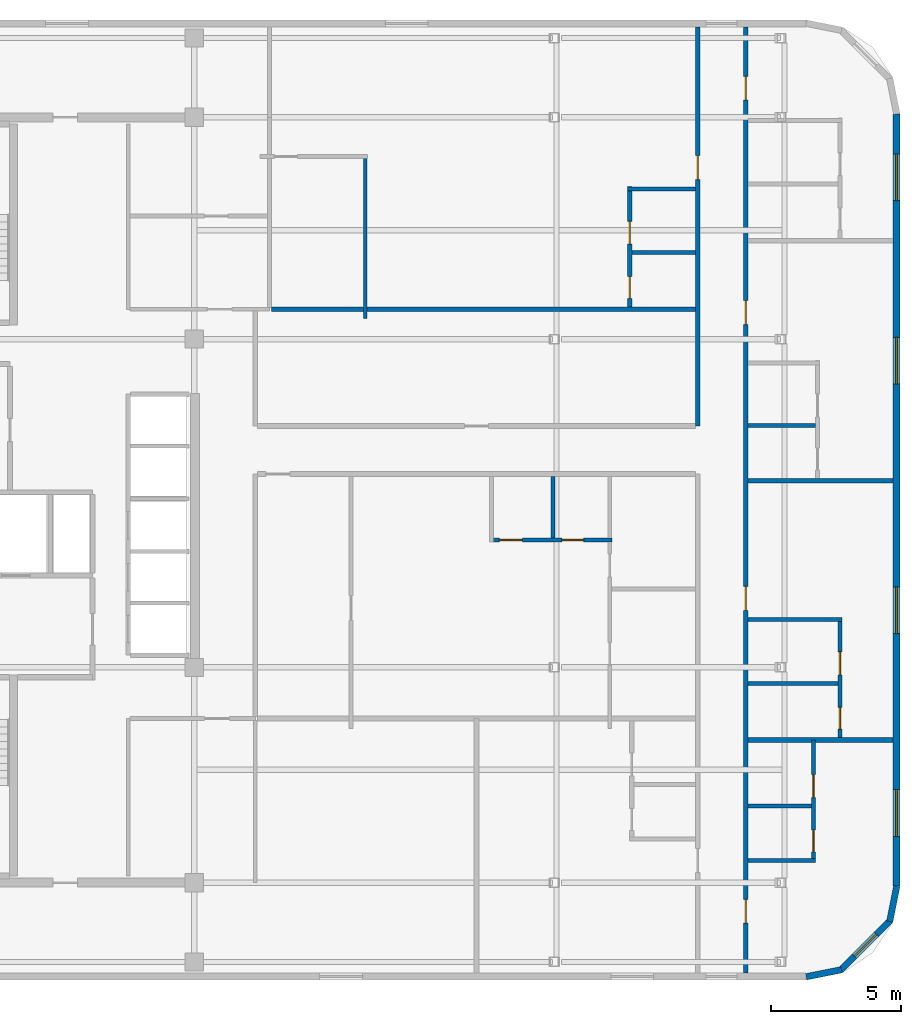
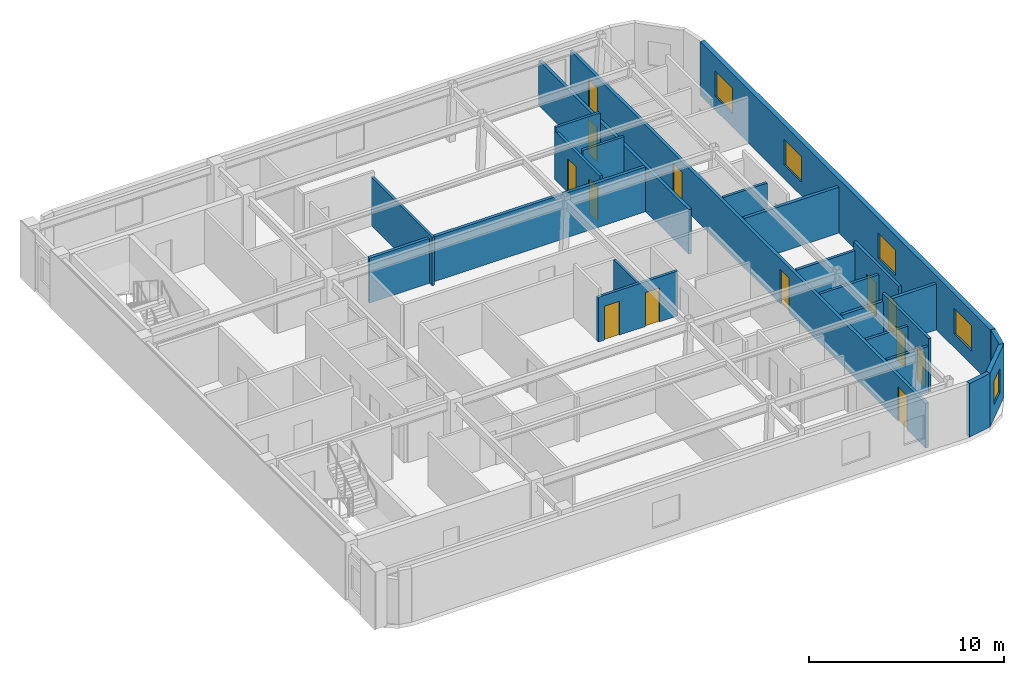
# One storey, part 4 of 6: 22 walls, 13 doors, 5 windows, 18 openings.
"""IFC4 building model written with IfcOpenShell, lengths in metres."""

from ifc_helpers import new_model, si_unit, direction, frame, frame_2d, origin, place, context, subcontext, project, spatial, rectangle, extrude, material, layer, layer_set, type_object, element, fill, save


model = new_model("IFC4")

# Units and contexts
model_context = context("Model", 3, precision=1e-05, world=origin(), true_north=direction((0.0, 1.0)))
body_context = subcontext(model_context, "Body", "Model", "MODEL_VIEW")
ifc_project = project(units=[si_unit("LENGTHUNIT", "METRE"), si_unit("AREAUNIT", "SQUARE_METRE"), si_unit("VOLUMEUNIT", "CUBIC_METRE"), si_unit("PLANEANGLEUNIT", "RADIAN"), si_unit("MASSUNIT", "GRAM", prefix="KILO")], contexts=[model_context])

# Site, building, storey
site_placement = place(None, origin())
site = spatial("IfcSite", under=ifc_project, at=site_placement, CompositionType="ELEMENT")
building_placement = place(site_placement, origin())
building = spatial("IfcBuilding", under=site, at=building_placement, Name="Ochreholt Gables", CompositionType="ELEMENT")
storey_placement = place(building_placement, frame((0.0, 0.0, 260.39990234375)))
storey = spatial("IfcBuildingStorey", under=building, at=storey_placement, Name="L68", CompositionType="ELEMENT", Elevation=260.39990234375)

# Wall, openings, windows
ifc_material_1 = material(Name="Precast concrete 40 MPa", Category="concrete")
ifc_layer_1 = layer(ifc_material_1, 0.27001953125, Name="Precast concrete 40 MPa")
ifc_layer_set_1 = layer_set([ifc_layer_1], Name="Precast concrete 40 MPa")
wall_type_1 = type_object("IfcWallType", Name="WALL-EXT-270", PredefinedType="SOLIDWALL", material=ifc_layer_set_1)
wall_1_placement = place(storey_placement, frame((62.264892578125, 9.1201171875, 0.0), z_axis=(0.0, 0.0, 1.0), x_axis=(0.0, 1.0, 0.0)))
wall_1 = element("IfcWall", 1, at=wall_1_placement, inside=storey, type_object=wall_type_1, Name="L68 East Exterior Wall", PredefinedType="SOLIDWALL", context=body_context, shape_type="SweptSolid", body=[
    extrude(rectangle(XDim=29.759765625, YDim=0.27001953125, at=frame_2d((14.8798828125, 0.0))), origin(), (0.0, 0.0, 1.0), 3.360107421875),
])
opening_1_placement = place(wall_1_placement, frame((1.9150390625, 0.0, 0.85009765625)))
opening_1 = element("IfcOpeningElement", 2, at=opening_1_placement, cuts=wall_1, Name="Opening WN-1", PredefinedType="OPENING", context=body_context, shape_type="SweptSolid", body=[
    extrude(rectangle(XDim=1.800048828125, YDim=1.60009765625, at=frame_2d((0.89990234375, 0.800048828125))), frame((0.0, 0.14501953125, 0.0), z_axis=(0.0, -1.0, 0.0), x_axis=(1.0, 0.0, 0.0)), (0.0, 0.0, 1.0), 0.2900390625),
])
opening_2_placement = place(wall_1_placement, frame((9.72509765625, 0.0, 0.85009765625)))
opening_2 = element("IfcOpeningElement", 3, at=opening_2_placement, cuts=wall_1, Name="Opening WN-1", PredefinedType="OPENING", context=body_context, shape_type="SweptSolid", body=[
    extrude(rectangle(XDim=1.800048828125, YDim=1.60009765625, at=frame_2d((0.89990234375, 0.800048828125))), frame((0.0, 0.14501953125, 0.0), z_axis=(0.0, -1.0, 0.0), x_axis=(1.0, 0.0, 0.0)), (0.0, 0.0, 1.0), 0.2900390625),
])
opening_3_placement = place(wall_1_placement, frame((19.344970703125, 0.0, 0.85009765625)))
opening_3 = element("IfcOpeningElement", 4, at=opening_3_placement, cuts=wall_1, Name="Opening WN-1", PredefinedType="OPENING", context=body_context, shape_type="SweptSolid", body=[
    extrude(rectangle(XDim=1.800048828125, YDim=1.60009765625, at=frame_2d((0.89990234375, 0.800048828125))), frame((0.0, 0.14501953125, 0.0), z_axis=(0.0, -1.0, 0.0), x_axis=(1.0, 0.0, 0.0)), (0.0, 0.0, 1.0), 0.2900390625),
])
opening_4_placement = place(wall_1_placement, frame((26.4150390625, 0.0, 0.85009765625)))
opening_4 = element("IfcOpeningElement", 5, at=opening_4_placement, cuts=wall_1, Name="Opening WN-1", PredefinedType="OPENING", context=body_context, shape_type="SweptSolid", body=[
    extrude(rectangle(XDim=1.800048828125, YDim=1.60009765625, at=frame_2d((0.89990234375, 0.800048828125))), frame((0.0, 0.14501953125, 0.0), z_axis=(0.0, -1.0, 0.0), x_axis=(1.0, 0.0, 0.0)), (0.0, 0.0, 1.0), 0.2900390625),
])
ifc_material_2 = material(Name="Triple-Glazed Thermally Broken Aluminium Window", Category="aluminium")
window_type_1 = type_object("IfcWindowType", Name="WIN-RES-1800", PartitioningType="SINGLE_PANEL", PredefinedType="WINDOW", material=ifc_material_2)
window_1_placement = place(opening_1_placement, origin())
window_1 = element("IfcWindow", 6, at=window_1_placement, inside=storey, type_object=window_type_1, Name="L68 Window W-EXT-E-L68-1", OverallHeight=1.60009765625, OverallWidth=1.800048828125, PartitioningType="SINGLE_PANEL", PredefinedType="WINDOW", context=body_context, shape_type="SweptSolid", body=[
    extrude(rectangle(XDim=1.800048828125, YDim=1.60009765625, at=frame_2d((0.89990234375, 0.800048828125))), frame((0.0, 0.030029296875, 0.0), z_axis=(0.0, -1.0, 0.0), x_axis=(1.0, 0.0, 0.0)), (0.0, 0.0, 1.0), 0.06005859375),
])
fill(opening_1, window_1)
window_2_placement = place(opening_2_placement, origin())
window_2 = element("IfcWindow", 7, at=window_2_placement, inside=storey, type_object=window_type_1, Name="L68 Window W-EXT-E-L68-2", OverallHeight=1.60009765625, OverallWidth=1.800048828125, PartitioningType="SINGLE_PANEL", PredefinedType="WINDOW", context=body_context, shape_type="SweptSolid", body=[
    extrude(rectangle(XDim=1.800048828125, YDim=1.60009765625, at=frame_2d((0.89990234375, 0.800048828125))), frame((0.0, 0.030029296875, 0.0), z_axis=(0.0, -1.0, 0.0), x_axis=(1.0, 0.0, 0.0)), (0.0, 0.0, 1.0), 0.06005859375),
])
fill(opening_2, window_2)
window_3_placement = place(opening_3_placement, origin())
window_3 = element("IfcWindow", 8, at=window_3_placement, inside=storey, type_object=window_type_1, Name="L68 Window W-EXT-E-L68-3", OverallHeight=1.60009765625, OverallWidth=1.800048828125, PartitioningType="SINGLE_PANEL", PredefinedType="WINDOW", context=body_context, shape_type="SweptSolid", body=[
    extrude(rectangle(XDim=1.800048828125, YDim=1.60009765625, at=frame_2d((0.89990234375, 0.800048828125))), frame((0.0, 0.030029296875, 0.0), z_axis=(0.0, -1.0, 0.0), x_axis=(1.0, 0.0, 0.0)), (0.0, 0.0, 1.0), 0.06005859375),
])
fill(opening_3, window_3)
window_4_placement = place(opening_4_placement, origin())
window_4 = element("IfcWindow", 9, at=window_4_placement, inside=storey, type_object=window_type_1, Name="L68 Window W-EXT-E-L68-4", OverallHeight=1.60009765625, OverallWidth=1.800048828125, PartitioningType="SINGLE_PANEL", PredefinedType="WINDOW", context=body_context, shape_type="SweptSolid", body=[
    extrude(rectangle(XDim=1.800048828125, YDim=1.60009765625, at=frame_2d((0.89990234375, 0.800048828125))), frame((0.0, 0.030029296875, 0.0), z_axis=(0.0, -1.0, 0.0), x_axis=(1.0, 0.0, 0.0)), (0.0, 0.0, 1.0), 0.06005859375),
])
fill(opening_4, window_4)

# Wall
ifc_layer_2 = layer(ifc_material_1, 0.25, Name="Precast concrete 40 MPa")
ifc_layer_set_2 = layer_set([ifc_layer_2], Name="Precast concrete 40 MPa")
wall_type_2 = type_object("IfcWallType", Name="WALL-EXT-CNR", PredefinedType="SOLIDWALL", material=ifc_layer_set_2)
wall_2_placement = place(storey_placement, frame((58.783447265625, 5.624267578125, 0.0), z_axis=(0.0, 0.0, 1.0), x_axis=(0.980809899341, 0.19496651342, 0.0)))
element("IfcWall", 10, at=wall_2_placement, inside=storey, type_object=wall_type_2, Name="L68 Rounded Corner Wall SE-1", PredefinedType="SOLIDWALL", context=body_context, shape_type="SweptSolid", body=[
    extrude(rectangle(XDim=1.388671875, YDim=0.25, at=frame_2d((0.6943359375, 0.0))), origin(), (0.0, 0.0, 1.0), 3.360107421875),
])

# Wall, opening, window
wall_3_placement = place(storey_placement, frame((60.094970703125, 5.867919921875, 0.0), z_axis=(0.0, 0.0, 1.0), x_axis=(0.707106781187, 0.707106781187, 0.0)))
wall_3 = element("IfcWall", 11, at=wall_3_placement, inside=storey, type_object=wall_type_2, Name="L68 Rounded Corner Wall SE-2", PredefinedType="SOLIDWALL", context=body_context, shape_type="SweptSolid", body=[
    extrude(rectangle(XDim=2.7392578125, YDim=0.25, at=frame_2d((1.36962890625, 0.0))), origin(), (0.0, 0.0, 1.0), 3.360107421875),
])
opening_5_placement = place(wall_3_placement, frame((0.769775390625, 0.0, 0.85009765625)))
opening_5 = element("IfcOpeningElement", 12, at=opening_5_placement, cuts=wall_3, Name="Opening WN-3", PredefinedType="OPENING", context=body_context, shape_type="SweptSolid", body=[
    extrude(rectangle(XDim=1.199951171875, YDim=1.5, at=frame_2d((0.60009765625, 0.75))), frame((0.0, 0.135009765625, 0.0), z_axis=(0.0, -1.0, 0.0), x_axis=(1.0, 0.0, 0.0)), (0.0, 0.0, 1.0), 0.27001953125),
])
window_type_2 = type_object("IfcWindowType", Name="WIN-RES-1200", PartitioningType="SINGLE_PANEL", PredefinedType="WINDOW", material=ifc_material_2)
window_5_placement = place(opening_5_placement, origin())
window_5 = element("IfcWindow", 13, at=window_5_placement, inside=storey, type_object=window_type_2, Name="L68 Corner Bedroom Window SE", OverallHeight=1.5, OverallWidth=1.199951171875, PartitioningType="SINGLE_PANEL", PredefinedType="WINDOW", context=body_context, shape_type="SweptSolid", body=[
    extrude(rectangle(XDim=1.199951171875, YDim=1.5, at=frame_2d((0.60009765625, 0.75))), frame((0.0, 0.030029296875, 0.0), z_axis=(0.0, -1.0, 0.0), x_axis=(1.0, 0.0, 0.0)), (0.0, 0.0, 1.0), 0.06005859375),
])
fill(opening_5, window_5)

# Wall
wall_4_placement = place(storey_placement, frame((62.0048828125, 7.75439453125, 0.0), z_axis=(0.0, 0.0, 1.0), x_axis=(0.195135625965, 0.9807762678, 0.0)))
element("IfcWall", 14, at=wall_4_placement, inside=storey, type_object=wall_type_2, Name="L68 Rounded Corner Wall SE-3", PredefinedType="SOLIDWALL", context=body_context, shape_type="SweptSolid", body=[
    extrude(rectangle(XDim=1.388671875, YDim=0.25, at=frame_2d((0.6943359375, 0.0))), origin(), (0.0, 0.0, 1.0), 3.360107421875),
])

# Wall, opening, door
ifc_material_3 = material(Name="Fire-Rated Gypsum Acoustic Partition", Category="gypsum")
ifc_layer_3 = layer(ifc_material_3, 0.179931640625, Name="Fire-Rated Gypsum Acoustic Partition")
ifc_layer_set_3 = layer_set([ifc_layer_3], Name="Fire-Rated Gypsum Acoustic Partition")
wall_type_3 = type_object("IfcWallType", Name="WALL-INT-CR180", PredefinedType="STANDARD", material=ifc_layer_set_3)
wall_5_placement = place(storey_placement, frame((54.60009765625, 26.85009765625, 0.0), z_axis=(0.0, 0.0, 1.0), x_axis=(0.0, 1.0, 0.0)))
wall_5 = element("IfcWall", 15, at=wall_5_placement, inside=storey, type_object=wall_type_3, Name="L68 Interior Wall WI-C3GW2-L68", PredefinedType="STANDARD", context=body_context, shape_type="SweptSolid", body=[
    extrude(rectangle(XDim=15.3798828125, YDim=0.179931640625, at=frame_2d((7.68994140625, 0.0))), origin(), (0.0, 0.0, 1.0), 2.802978515625),
])
opening_6_placement = place(wall_5_placement, frame((9.5, 0.0, 0.0)))
opening_6 = element("IfcOpeningElement", 16, at=opening_6_placement, cuts=wall_5, Name="Opening D-UN1", PredefinedType="OPENING", context=body_context, shape_type="SweptSolid", body=[
    extrude(rectangle(XDim=0.919921875, YDim=2.14990234375, at=frame_2d((0.4599609375, 1.074951171875))), frame((0.0, 0.099853515625, 0.0), z_axis=(0.0, -1.0, 0.0), x_axis=(1.0, 0.0, 0.0)), (0.0, 0.0, 1.0), 0.199951171875),
])
ifc_material_4 = material(Name="Engineered Oak Timber", Category="wood")
door_type_1 = type_object("IfcDoorType", Name="DR-INT-UNT920", OperationType="NOTDEFINED", PredefinedType="DOOR", material=ifc_material_4)
door_1_placement = place(opening_6_placement, origin())
door_1 = element("IfcDoor", 17, at=door_1_placement, inside=storey, type_object=door_type_1, Name="L68 Door D-U-L68NM2-ENT", OperationType="SINGLE_SWING_LEFT", OverallHeight=2.14990234375, OverallWidth=0.919921875, PredefinedType="DOOR", context=body_context, shape_type="SweptSolid", body=[
    extrude(rectangle(XDim=0.919921875, YDim=2.14990234375, at=frame_2d((0.4599609375, 1.074951171875))), frame((0.0, 0.02490234375, 0.0), z_axis=(0.0, -1.0, 0.0), x_axis=(1.0, 0.0, 0.0)), (0.0, 0.0, 1.0), 0.050048828125),
])
fill(opening_6, door_1)

# Wall, openings, doors
wall_6_placement = place(storey_placement, frame((56.449951171875, 5.77001953125, 0.0), z_axis=(0.0, 0.0, 1.0), x_axis=(0.0, 1.0, 0.0)))
wall_6 = element("IfcWall", 18, at=wall_6_placement, inside=storey, type_object=wall_type_3, Name="L68 Interior Wall WI-C3GE-L68", PredefinedType="STANDARD", context=body_context, shape_type="SweptSolid", body=[
    extrude(rectangle(XDim=36.4599609375, YDim=0.179931640625, at=frame_2d((18.22998046875, 0.0))), origin(), (0.0, 0.0, 1.0), 2.802978515625),
])
opening_7_placement = place(wall_6_placement, frame((1.919921875, 0.0, 0.0)))
opening_7 = element("IfcOpeningElement", 19, at=opening_7_placement, cuts=wall_6, Name="Opening D-UN1", PredefinedType="OPENING", context=body_context, shape_type="SweptSolid", body=[
    extrude(rectangle(XDim=0.919921875, YDim=2.14990234375, at=frame_2d((0.4599609375, 1.074951171875))), frame((0.0, 0.099853515625, 0.0), z_axis=(0.0, -1.0, 0.0), x_axis=(1.0, 0.0, 0.0)), (0.0, 0.0, 1.0), 0.199951171875),
])
opening_8_placement = place(wall_6_placement, frame((13.97998046875, 0.0, 0.0)))
opening_8 = element("IfcOpeningElement", 20, at=opening_8_placement, cuts=wall_6, Name="Opening D-UN1", PredefinedType="OPENING", context=body_context, shape_type="SweptSolid", body=[
    extrude(rectangle(XDim=0.919921875, YDim=2.14990234375, at=frame_2d((0.4599609375, 1.074951171875))), frame((0.0, 0.099853515625, 0.0), z_axis=(0.0, -1.0, 0.0), x_axis=(1.0, 0.0, 0.0)), (0.0, 0.0, 1.0), 0.199951171875),
])
opening_9_placement = place(wall_6_placement, frame((24.989990234375, 0.0, 0.0)))
opening_9 = element("IfcOpeningElement", 21, at=opening_9_placement, cuts=wall_6, Name="Opening D-UN1", PredefinedType="OPENING", context=body_context, shape_type="SweptSolid", body=[
    extrude(rectangle(XDim=0.919921875, YDim=2.14990234375, at=frame_2d((0.4599609375, 1.074951171875))), frame((0.0, 0.099853515625, 0.0), z_axis=(0.0, -1.0, 0.0), x_axis=(1.0, 0.0, 0.0)), (0.0, 0.0, 1.0), 0.199951171875),
])
opening_10_placement = place(wall_6_placement, frame((33.639892578125, 0.0, 0.0)))
opening_10 = element("IfcOpeningElement", 22, at=opening_10_placement, cuts=wall_6, Name="Opening D-UN1", PredefinedType="OPENING", context=body_context, shape_type="SweptSolid", body=[
    extrude(rectangle(XDim=0.919921875, YDim=2.14990234375, at=frame_2d((0.4599609375, 1.074951171875))), frame((0.0, 0.099853515625, 0.0), z_axis=(0.0, -1.0, 0.0), x_axis=(1.0, 0.0, 0.0)), (0.0, 0.0, 1.0), 0.199951171875),
])
door_2_placement = place(opening_7_placement, origin())
door_2 = element("IfcDoor", 23, at=door_2_placement, inside=storey, type_object=door_type_1, Name="L68 Door D-U-L68E1-ENT", OperationType="SINGLE_SWING_RIGHT", OverallHeight=2.14990234375, OverallWidth=0.919921875, PredefinedType="DOOR", context=body_context, shape_type="SweptSolid", body=[
    extrude(rectangle(XDim=0.919921875, YDim=2.14990234375, at=frame_2d((0.4599609375, 1.074951171875))), frame((0.0, 0.02490234375, 0.0), z_axis=(0.0, -1.0, 0.0), x_axis=(1.0, 0.0, 0.0)), (0.0, 0.0, 1.0), 0.050048828125),
])
fill(opening_7, door_2)
door_3_placement = place(opening_8_placement, origin())
door_3 = element("IfcDoor", 24, at=door_3_placement, inside=storey, type_object=door_type_1, Name="L68 Door D-U-L68E2-ENT", OperationType="SINGLE_SWING_LEFT", OverallHeight=2.14990234375, OverallWidth=0.919921875, PredefinedType="DOOR", context=body_context, shape_type="SweptSolid", body=[
    extrude(rectangle(XDim=0.919921875, YDim=2.14990234375, at=frame_2d((0.4599609375, 1.074951171875))), frame((0.0, 0.02490234375, 0.0), z_axis=(0.0, -1.0, 0.0), x_axis=(1.0, 0.0, 0.0)), (0.0, 0.0, 1.0), 0.050048828125),
])
fill(opening_8, door_3)
door_4_placement = place(opening_9_placement, origin())
door_4 = element("IfcDoor", 25, at=door_4_placement, inside=storey, type_object=door_type_1, Name="L68 Door D-U-L68E3-ENT", OperationType="SINGLE_SWING_RIGHT", OverallHeight=2.14990234375, OverallWidth=0.919921875, PredefinedType="DOOR", context=body_context, shape_type="SweptSolid", body=[
    extrude(rectangle(XDim=0.919921875, YDim=2.14990234375, at=frame_2d((0.4599609375, 1.074951171875))), frame((0.0, 0.02490234375, 0.0), z_axis=(0.0, -1.0, 0.0), x_axis=(1.0, 0.0, 0.0)), (0.0, 0.0, 1.0), 0.050048828125),
])
fill(opening_9, door_4)
door_5_placement = place(opening_10_placement, origin())
door_5 = element("IfcDoor", 26, at=door_5_placement, inside=storey, type_object=door_type_1, Name="L68 Door D-U-L68E4-ENT", OperationType="SINGLE_SWING_LEFT", OverallHeight=2.14990234375, OverallWidth=0.919921875, PredefinedType="DOOR", context=body_context, shape_type="SweptSolid", body=[
    extrude(rectangle(XDim=0.919921875, YDim=2.14990234375, at=frame_2d((0.4599609375, 1.074951171875))), frame((0.0, 0.02490234375, 0.0), z_axis=(0.0, -1.0, 0.0), x_axis=(1.0, 0.0, 0.0)), (0.0, 0.0, 1.0), 0.050048828125),
])
fill(opening_10, door_5)

# Walls
ifc_material_5 = material(Name="Double-Stud Acoustic Demising Wall", Category="gypsum")
ifc_layer_4 = layer(ifc_material_5, 0.18505859375, Name="Double-Stud Acoustic Demising Wall")
ifc_layer_set_4 = layer_set([ifc_layer_4], Name="Double-Stud Acoustic Demising Wall")
wall_type_4 = type_object("IfcWallType", Name="WALL-INT-DM185", PredefinedType="PARTITIONING", material=ifc_layer_set_4)
for number, where, z_axis, x_axis, name in (
    (27, (56.5400390625, 14.75, 0.0), (0.0, 0.0, 1.0), (1.0, 0.0, 0.0), "L68 Interior Wall WI-C3UDE2-L68"),
    (28, (56.5400390625, 24.739990234375, 0.0), (0.0, 0.0, 1.0), (1.0, 0.0, 0.0), "L68 Interior Wall WI-C3UDE3-L68"),
):
    element("IfcWall", number, at=place(storey_placement, frame(where, z_axis=z_axis, x_axis=x_axis)), inside=storey, type_object=wall_type_4, Name=name, PredefinedType="PARTITIONING", context=body_context, shape_type="SweptSolid", body=[
        extrude(rectangle(XDim=5.58984375, YDim=0.18505859375, at=frame_2d((2.794921875, 0.0))), origin(), (0.0, 0.0, 1.0), 2.879150390625),
    ])
wall_7_placement = place(storey_placement, frame((38.172607421875, 31.35009765625, 0.0), z_axis=(0.0, 0.0, 1.0), x_axis=(1.0, 0.0, 0.0)))
element("IfcWall", 29, at=wall_7_placement, inside=storey, type_object=wall_type_4, Name="L68 Interior Wall WI-C3NMY-L68", PredefinedType="PARTITIONING", context=body_context, shape_type="SweptSolid", body=[
    extrude(rectangle(XDim=16.33740234375, YDim=0.18505859375, at=frame_2d((8.168701171875, 0.0))), origin(), (0.0, 0.0, 1.0), 2.802978515625),
])
ifc_material_6 = material(Name="Moisture-Resistant Plumbing Chase Wall", Category="gypsum")
ifc_layer_5 = layer(ifc_material_6, 0.159912109375, Name="Moisture-Resistant Plumbing Chase Wall")
ifc_layer_set_5 = layer_set([ifc_layer_5], Name="Moisture-Resistant Plumbing Chase Wall")
wall_type_5 = type_object("IfcWallType", Name="WALL-INT-PL160", PredefinedType="PLUMBINGWALL", material=ifc_layer_set_5)
wall_8_placement = place(storey_placement, frame((56.5400390625, 10.110107421875, 0.0), z_axis=(0.0, 0.0, 1.0), x_axis=(1.0, 0.0, 0.0)))
element("IfcWall", 30, at=wall_8_placement, inside=storey, type_object=wall_type_5, Name="L68 Interior Wall WU-L68E1-WYS", PredefinedType="PLUMBINGWALL", context=body_context, shape_type="SweptSolid", body=[
    extrude(rectangle(XDim=2.60595703125, YDim=0.159912109375, at=frame_2d((1.302978515625, 0.0))), origin(), (0.0, 0.0, 1.0), 2.879150390625),
])

# Wall, openings, doors
wall_9_placement = place(storey_placement, frame((59.06591796875, 10.02001953125, 0.0), z_axis=(0.0, 0.0, 1.0), x_axis=(0.0, 1.0, 0.0)))
wall_9 = element("IfcWall", 31, at=wall_9_placement, inside=storey, type_object=wall_type_5, Name="L68 Interior Wall WU-L68E1-WX", PredefinedType="PLUMBINGWALL", context=body_context, shape_type="SweptSolid", body=[
    extrude(rectangle(XDim=4.72998046875, YDim=0.159912109375, at=frame_2d((2.364990234375, 0.0))), origin(), (0.0, 0.0, 1.0), 3.360107421875),
])
opening_11_placement = place(wall_9_placement, frame((0.419921875, 0.0, 0.0)))
opening_11 = element("IfcOpeningElement", 32, at=opening_11_placement, cuts=wall_9, Name="Opening D-BT2", PredefinedType="OPENING", context=body_context, shape_type="SweptSolid", body=[
    extrude(rectangle(XDim=0.840087890625, YDim=2.1201171875, at=frame_2d((0.419921875, 1.06005859375))), frame((0.0, 0.08984375, 0.0), z_axis=(0.0, -1.0, 0.0), x_axis=(1.0, 0.0, 0.0)), (0.0, 0.0, 1.0), 0.179931640625),
])
opening_12_placement = place(wall_9_placement, frame((2.512939453125, 0.0, 0.0)))
opening_12 = element("IfcOpeningElement", 33, at=opening_12_placement, cuts=wall_9, Name="Opening D-GN2", PredefinedType="OPENING", context=body_context, shape_type="SweptSolid", body=[
    extrude(rectangle(XDim=0.8798828125, YDim=2.1201171875, at=frame_2d((0.43994140625, 1.06005859375))), frame((0.0, 0.08984375, 0.0), z_axis=(0.0, -1.0, 0.0), x_axis=(1.0, 0.0, 0.0)), (0.0, 0.0, 1.0), 0.179931640625),
])
door_type_2 = type_object("IfcDoorType", Name="DR-INT-BTH840", OperationType="NOTDEFINED", PredefinedType="DOOR", material=ifc_material_4)
door_6_placement = place(opening_11_placement, origin())
door_6 = element("IfcDoor", 34, at=door_6_placement, inside=storey, type_object=door_type_2, Name="L68 Door D-U-L68E1-BTH", OperationType="SINGLE_SWING_LEFT", OverallHeight=2.1201171875, OverallWidth=0.840087890625, PredefinedType="DOOR", context=body_context, shape_type="SweptSolid", body=[
    extrude(rectangle(XDim=0.840087890625, YDim=2.1201171875, at=frame_2d((0.419921875, 1.06005859375))), frame((0.0, 0.02490234375, 0.0), z_axis=(0.0, -1.0, 0.0), x_axis=(1.0, 0.0, 0.0)), (0.0, 0.0, 1.0), 0.050048828125),
])
fill(opening_11, door_6)
door_type_3 = type_object("IfcDoorType", Name="DR-INT-GEN880", OperationType="NOTDEFINED", PredefinedType="DOOR", material=ifc_material_4)
door_7_placement = place(opening_12_placement, origin())
door_7 = element("IfcDoor", 35, at=door_7_placement, inside=storey, type_object=door_type_3, Name="L68 Door D-U-L68E1-KIT", OperationType="SINGLE_SWING_RIGHT", OverallHeight=2.1201171875, OverallWidth=0.8798828125, PredefinedType="DOOR", context=body_context, shape_type="SweptSolid", body=[
    extrude(rectangle(XDim=0.8798828125, YDim=2.1201171875, at=frame_2d((0.43994140625, 1.06005859375))), frame((0.0, 0.02490234375, 0.0), z_axis=(0.0, -1.0, 0.0), x_axis=(1.0, 0.0, 0.0)), (0.0, 0.0, 1.0), 0.050048828125),
])
fill(opening_12, door_7)

# Walls
wall_10_placement = place(storey_placement, frame((56.5400390625, 12.202880859375, 0.0), z_axis=(0.0, 0.0, 1.0), x_axis=(1.0, 0.0, 0.0)))
element("IfcWall", 36, at=wall_10_placement, inside=storey, type_object=wall_type_5, Name="L68 Interior Wall WU-L68E1-WM", PredefinedType="PLUMBINGWALL", context=body_context, shape_type="SweptSolid", body=[
    extrude(rectangle(XDim=2.446044921875, YDim=0.159912109375, at=frame_2d((1.22314453125, 0.0))), origin(), (0.0, 0.0, 1.0), 2.879150390625),
])
wall_11_placement = place(storey_placement, frame((56.5400390625, 19.389892578125, 0.0), z_axis=(0.0, 0.0, 1.0), x_axis=(1.0, 0.0, 0.0)))
element("IfcWall", 37, at=wall_11_placement, inside=storey, type_object=wall_type_5, Name="L68 Interior Wall WU-L68E2-WYN", PredefinedType="PLUMBINGWALL", context=body_context, shape_type="SweptSolid", body=[
    extrude(rectangle(XDim=3.6201171875, YDim=0.159912109375, at=frame_2d((1.81005859375, 0.0))), origin(), (0.0, 0.0, 1.0), 2.879150390625),
])

# Wall, openings, doors
wall_12_placement = place(storey_placement, frame((60.080078125, 14.842529296875, 0.0), z_axis=(0.0, 0.0, 1.0), x_axis=(0.0, 1.0, 0.0)))
wall_12 = element("IfcWall", 38, at=wall_12_placement, inside=storey, type_object=wall_type_5, Name="L68 Interior Wall WU-L68E2-WX", PredefinedType="PLUMBINGWALL", context=body_context, shape_type="SweptSolid", body=[
    extrude(rectangle(XDim=4.637451171875, YDim=0.159912109375, at=frame_2d((2.31884765625, 0.0))), origin(), (0.0, 0.0, 1.0), 3.360107421875),
])
opening_13_placement = place(wall_12_placement, frame((0.327392578125, 0.0, 0.0)))
opening_13 = element("IfcOpeningElement", 39, at=opening_13_placement, cuts=wall_12, Name="Opening D-BT2", PredefinedType="OPENING", context=body_context, shape_type="SweptSolid", body=[
    extrude(rectangle(XDim=0.840087890625, YDim=2.1201171875, at=frame_2d((0.419921875, 1.06005859375))), frame((0.0, 0.08984375, 0.0), z_axis=(0.0, -1.0, 0.0), x_axis=(1.0, 0.0, 0.0)), (0.0, 0.0, 1.0), 0.179931640625),
])
opening_14_placement = place(wall_12_placement, frame((2.42041015625, 0.0, 0.0)))
opening_14 = element("IfcOpeningElement", 40, at=opening_14_placement, cuts=wall_12, Name="Opening D-GN2", PredefinedType="OPENING", context=body_context, shape_type="SweptSolid", body=[
    extrude(rectangle(XDim=0.8798828125, YDim=2.1201171875, at=frame_2d((0.43994140625, 1.06005859375))), frame((0.0, 0.08984375, 0.0), z_axis=(0.0, -1.0, 0.0), x_axis=(1.0, 0.0, 0.0)), (0.0, 0.0, 1.0), 0.179931640625),
])
door_8_placement = place(opening_13_placement, origin())
door_8 = element("IfcDoor", 41, at=door_8_placement, inside=storey, type_object=door_type_2, Name="L68 Door D-U-L68E2-BTH", OperationType="SINGLE_SWING_RIGHT", OverallHeight=2.1201171875, OverallWidth=0.840087890625, PredefinedType="DOOR", context=body_context, shape_type="SweptSolid", body=[
    extrude(rectangle(XDim=0.840087890625, YDim=2.1201171875, at=frame_2d((0.419921875, 1.06005859375))), frame((0.0, 0.02490234375, 0.0), z_axis=(0.0, -1.0, 0.0), x_axis=(1.0, 0.0, 0.0)), (0.0, 0.0, 1.0), 0.050048828125),
])
fill(opening_13, door_8)
door_9_placement = place(opening_14_placement, origin())
door_9 = element("IfcDoor", 42, at=door_9_placement, inside=storey, type_object=door_type_3, Name="L68 Door D-U-L68E2-KIT", OperationType="SINGLE_SWING_LEFT", OverallHeight=2.1201171875, OverallWidth=0.8798828125, PredefinedType="DOOR", context=body_context, shape_type="SweptSolid", body=[
    extrude(rectangle(XDim=0.8798828125, YDim=2.1201171875, at=frame_2d((0.43994140625, 1.06005859375))), frame((0.0, 0.02490234375, 0.0), z_axis=(0.0, -1.0, 0.0), x_axis=(1.0, 0.0, 0.0)), (0.0, 0.0, 1.0), 0.050048828125),
])
fill(opening_14, door_9)

# Walls
wall_13_placement = place(storey_placement, frame((56.5400390625, 16.93310546875, 0.0), z_axis=(0.0, 0.0, 1.0), x_axis=(1.0, 0.0, 0.0)))
element("IfcWall", 43, at=wall_13_placement, inside=storey, type_object=wall_type_5, Name="L68 Interior Wall WU-L68E2-WM", PredefinedType="PLUMBINGWALL", context=body_context, shape_type="SweptSolid", body=[
    extrude(rectangle(XDim=3.460205078125, YDim=0.159912109375, at=frame_2d((1.72998046875, 0.0))), origin(), (0.0, 0.0, 1.0), 2.879150390625),
])
wall_14_placement = place(storey_placement, frame((56.5400390625, 26.876953125, 0.0), z_axis=(0.0, 0.0, 1.0), x_axis=(1.0, 0.0, 0.0)))
element("IfcWall", 44, at=wall_14_placement, inside=storey, type_object=wall_type_5, Name="L68 Interior Wall WU-L68E3-WM", PredefinedType="PLUMBINGWALL", context=body_context, shape_type="SweptSolid", body=[
    extrude(rectangle(XDim=2.597900390625, YDim=0.159912109375, at=frame_2d((1.298828125, 0.0))), origin(), (0.0, 0.0, 1.0), 2.879150390625),
])

# Wall, openings, doors
wall_15_placement = place(storey_placement, frame((46.580078125, 22.4599609375, 0.0), z_axis=(0.0, 0.0, 1.0), x_axis=(1.0, 0.0, 0.0)))
wall_15 = element("IfcWall", 45, at=wall_15_placement, inside=storey, type_object=wall_type_5, Name="L68 Interior Wall WU-L68SM2-WY", PredefinedType="PLUMBINGWALL", context=body_context, shape_type="SweptSolid", body=[
    extrude(rectangle(XDim=4.7099609375, YDim=0.159912109375, at=frame_2d((2.35498046875, 0.0))), origin(), (0.0, 0.0, 1.0), 2.802978515625),
])
opening_15_placement = place(wall_15_placement, frame((0.3798828125, 0.0, 0.0)))
opening_15 = element("IfcOpeningElement", 46, at=opening_15_placement, cuts=wall_15, Name="Opening D-GN2", PredefinedType="OPENING", context=body_context, shape_type="SweptSolid", body=[
    extrude(rectangle(XDim=0.8798828125, YDim=2.1201171875, at=frame_2d((0.43994140625, 1.06005859375))), frame((0.0, 0.08984375, 0.0), z_axis=(0.0, -1.0, 0.0), x_axis=(1.0, 0.0, 0.0)), (0.0, 0.0, 1.0), 0.179931640625),
])
opening_16_placement = place(wall_15_placement, frame((2.785888671875, 0.0, 0.0)))
opening_16 = element("IfcOpeningElement", 47, at=opening_16_placement, cuts=wall_15, Name="Opening D-BT2", PredefinedType="OPENING", context=body_context, shape_type="SweptSolid", body=[
    extrude(rectangle(XDim=0.840087890625, YDim=2.1201171875, at=frame_2d((0.419921875, 1.06005859375))), frame((0.0, 0.08984375, 0.0), z_axis=(0.0, -1.0, 0.0), x_axis=(1.0, 0.0, 0.0)), (0.0, 0.0, 1.0), 0.179931640625),
])
door_10_placement = place(opening_16_placement, origin())
door_10 = element("IfcDoor", 48, at=door_10_placement, inside=storey, type_object=door_type_2, Name="L68 Door D-U-L68SM2-BTH", OperationType="SINGLE_SWING_RIGHT", OverallHeight=2.1201171875, OverallWidth=0.840087890625, PredefinedType="DOOR", context=body_context, shape_type="SweptSolid", body=[
    extrude(rectangle(XDim=0.840087890625, YDim=2.1201171875, at=frame_2d((0.419921875, 1.06005859375))), frame((0.0, 0.02490234375, 0.0), z_axis=(0.0, -1.0, 0.0), x_axis=(1.0, 0.0, 0.0)), (0.0, 0.0, 1.0), 0.050048828125),
])
fill(opening_16, door_10)
door_11_placement = place(opening_15_placement, origin())
door_11 = element("IfcDoor", 49, at=door_11_placement, inside=storey, type_object=door_type_3, Name="L68 Door D-U-L68SM2-KIT", OperationType="SINGLE_SWING_LEFT", OverallHeight=2.1201171875, OverallWidth=0.8798828125, PredefinedType="DOOR", context=body_context, shape_type="SweptSolid", body=[
    extrude(rectangle(XDim=0.8798828125, YDim=2.1201171875, at=frame_2d((0.43994140625, 1.06005859375))), frame((0.0, 0.02490234375, 0.0), z_axis=(0.0, -1.0, 0.0), x_axis=(1.0, 0.0, 0.0)), (0.0, 0.0, 1.0), 0.050048828125),
])
fill(opening_15, door_11)

# Walls
wall_16_placement = place(storey_placement, frame((49.02587890625, 22.5400390625, 0.0), z_axis=(0.0, 0.0, 1.0), x_axis=(0.0, 1.0, 0.0)))
element("IfcWall", 50, at=wall_16_placement, inside=storey, type_object=wall_type_5, Name="L68 Interior Wall WU-L68SM2-WK", PredefinedType="PLUMBINGWALL", context=body_context, shape_type="SweptSolid", body=[
    extrude(rectangle(XDim=2.369873046875, YDim=0.159912109375, at=frame_2d((1.18505859375, 0.0))), origin(), (0.0, 0.0, 1.0), 2.802978515625),
])
wall_17_placement = place(storey_placement, frame((51.904052734375, 35.989990234375, 0.0), z_axis=(0.0, 0.0, 1.0), x_axis=(1.0, 0.0, 0.0)))
element("IfcWall", 51, at=wall_17_placement, inside=storey, type_object=wall_type_5, Name="L68 Interior Wall WU-L68NM2-WYN", PredefinedType="PLUMBINGWALL", context=body_context, shape_type="SweptSolid", body=[
    extrude(rectangle(XDim=2.60595703125, YDim=0.159912109375, at=frame_2d((1.302978515625, 0.0))), origin(), (0.0, 0.0, 1.0), 3.360107421875),
])

# Wall, openings, doors
wall_18_placement = place(storey_placement, frame((51.98388671875, 31.4423828125, 0.0), z_axis=(0.0, 0.0, 1.0), x_axis=(0.0, 1.0, 0.0)))
wall_18 = element("IfcWall", 52, at=wall_18_placement, inside=storey, type_object=wall_type_5, Name="L68 Interior Wall WU-L68NM2-WX", PredefinedType="PLUMBINGWALL", context=body_context, shape_type="SweptSolid", body=[
    extrude(rectangle(XDim=4.6376953125, YDim=0.159912109375, at=frame_2d((2.31884765625, 0.0))), origin(), (0.0, 0.0, 1.0), 3.0390625),
])
opening_17_placement = place(wall_18_placement, frame((0.327392578125, 0.0, 0.0)))
opening_17 = element("IfcOpeningElement", 53, at=opening_17_placement, cuts=wall_18, Name="Opening D-BT2", PredefinedType="OPENING", context=body_context, shape_type="SweptSolid", body=[
    extrude(rectangle(XDim=0.840087890625, YDim=2.1201171875, at=frame_2d((0.419921875, 1.06005859375))), frame((0.0, 0.08984375, 0.0), z_axis=(0.0, -1.0, 0.0), x_axis=(1.0, 0.0, 0.0)), (0.0, 0.0, 1.0), 0.179931640625),
])
opening_18_placement = place(wall_18_placement, frame((2.42041015625, 0.0, 0.0)))
opening_18 = element("IfcOpeningElement", 54, at=opening_18_placement, cuts=wall_18, Name="Opening D-GN2", PredefinedType="OPENING", context=body_context, shape_type="SweptSolid", body=[
    extrude(rectangle(XDim=0.8798828125, YDim=2.1201171875, at=frame_2d((0.43994140625, 1.06005859375))), frame((0.0, 0.08984375, 0.0), z_axis=(0.0, -1.0, 0.0), x_axis=(1.0, 0.0, 0.0)), (0.0, 0.0, 1.0), 0.179931640625),
])
door_12_placement = place(opening_17_placement, origin())
door_12 = element("IfcDoor", 55, at=door_12_placement, inside=storey, type_object=door_type_2, Name="L68 Door D-U-L68NM2-BTH", OperationType="SINGLE_SWING_RIGHT", OverallHeight=2.1201171875, OverallWidth=0.840087890625, PredefinedType="DOOR", context=body_context, shape_type="SweptSolid", body=[
    extrude(rectangle(XDim=0.840087890625, YDim=2.1201171875, at=frame_2d((0.419921875, 1.06005859375))), frame((0.0, 0.02490234375, 0.0), z_axis=(0.0, -1.0, 0.0), x_axis=(1.0, 0.0, 0.0)), (0.0, 0.0, 1.0), 0.050048828125),
])
fill(opening_17, door_12)
door_13_placement = place(opening_18_placement, origin())
door_13 = element("IfcDoor", 56, at=door_13_placement, inside=storey, type_object=door_type_3, Name="L68 Door D-U-L68NM2-KIT", OperationType="SINGLE_SWING_LEFT", OverallHeight=2.1201171875, OverallWidth=0.8798828125, PredefinedType="DOOR", context=body_context, shape_type="SweptSolid", body=[
    extrude(rectangle(XDim=0.8798828125, YDim=2.1201171875, at=frame_2d((0.43994140625, 1.06005859375))), frame((0.0, 0.02490234375, 0.0), z_axis=(0.0, -1.0, 0.0), x_axis=(1.0, 0.0, 0.0)), (0.0, 0.0, 1.0), 0.050048828125),
])
fill(opening_18, door_13)

# Walls
wall_19_placement = place(storey_placement, frame((52.06396484375, 33.532958984375, 0.0), z_axis=(0.0, 0.0, 1.0), x_axis=(1.0, 0.0, 0.0)))
element("IfcWall", 57, at=wall_19_placement, inside=storey, type_object=wall_type_5, Name="L68 Interior Wall WU-L68NM2-WM", PredefinedType="PLUMBINGWALL", context=body_context, shape_type="SweptSolid", body=[
    extrude(rectangle(XDim=2.446044921875, YDim=0.159912109375, at=frame_2d((1.22314453125, 0.0))), origin(), (0.0, 0.0, 1.0), 3.360107421875),
])
ifc_material_7 = material(Name="Lightweight Stud Partition", Category="gypsum")
ifc_layer_6 = layer(ifc_material_7, 0.14501953125, Name="Lightweight Stud Partition")
ifc_layer_set_6 = layer_set([ifc_layer_6], Name="Lightweight Stud Partition")
wall_type_6 = type_object("IfcWallType", Name="WALL-INT-PT145", PredefinedType="PARTITIONING", material=ifc_layer_set_6)
wall_20_placement = place(storey_placement, frame((41.7900390625, 30.989990234375, 0.0), z_axis=(0.0, 0.0, 1.0), x_axis=(0.0, 1.0, 0.0)))
element("IfcWall", 58, at=wall_20_placement, inside=storey, type_object=wall_type_6, Name="L68 Interior Wall WU-L68NM2-STW", PredefinedType="PARTITIONING", context=body_context, shape_type="SweptSolid", body=[
    extrude(rectangle(XDim=6.25, YDim=0.14501953125, at=frame_2d((3.125, 0.0))), origin(), (0.0, 0.0, 1.0), 3.0390625),
])

save(model, "model.ifc")
